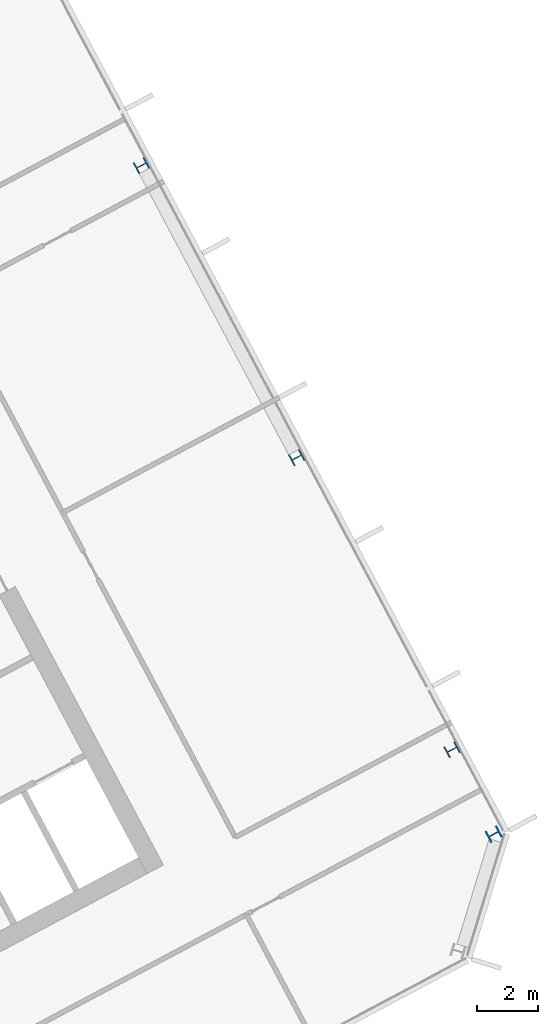
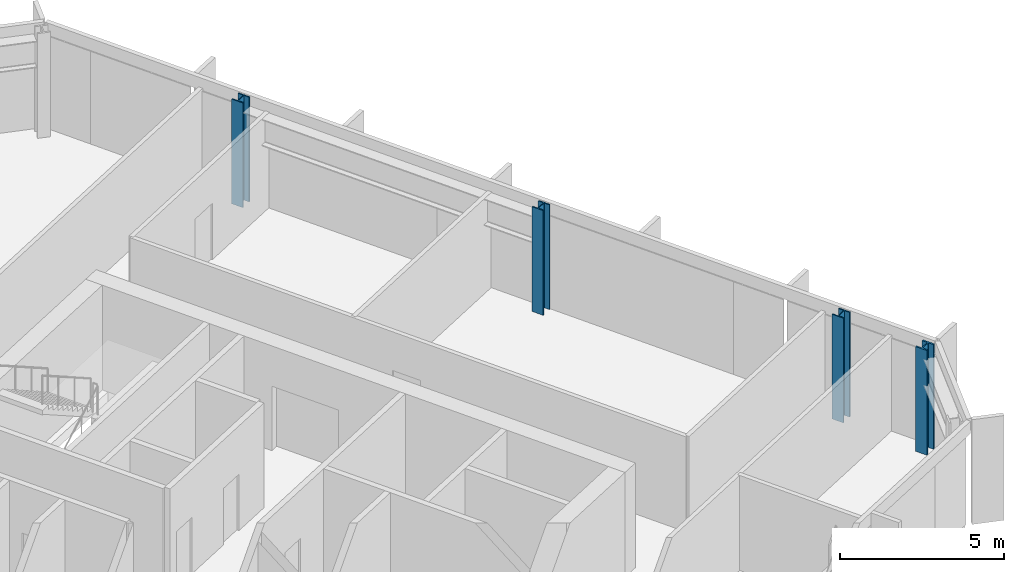
# One storey, part 7 of 27: 4 columns.
"""IFC4 building model written with IfcOpenShell, lengths in metres."""

from ifc_helpers import new_model, si_unit, direction, frame, origin, origin_2d, place, context, subcontext, project, spatial, i_section, extrude, material, material_profile, profile_set, type_object, element, save


model = new_model("IFC4")

# Units and contexts
model_context = context("Model", 3, precision=1e-05, world=origin(), true_north=direction((0.0, 1.0)))
body_context = subcontext(model_context, "Body", "Model", "MODEL_VIEW")
ifc_project = project(units=[si_unit("LENGTHUNIT", "METRE"), si_unit("AREAUNIT", "SQUARE_METRE"), si_unit("VOLUMEUNIT", "CUBIC_METRE"), si_unit("PLANEANGLEUNIT", "RADIAN"), si_unit("MASSUNIT", "GRAM", prefix="KILO")], contexts=[model_context])

# Site, building, storey
site_placement = place(None, origin())
site = spatial("IfcSite", under=ifc_project, at=site_placement, CompositionType="ELEMENT")
building_placement = place(site_placement, origin())
building = spatial("IfcBuilding", under=site, at=building_placement, Name="Cormorant Relay Tower", CompositionType="ELEMENT")
storey_placement = place(building_placement, frame((0.0, 0.0, 240.300048828125)))
storey = spatial("IfcBuildingStorey", under=building, at=storey_placement, Name="L53", CompositionType="ELEMENT", Elevation=240.300048828125)

# Columns
ifc_material_1 = material(Name="Steel ASTM A992 (Fy 345 MPa)", Category="steel")
ifc_material_profile_1 = material_profile(ifc_material_1, i_section(OverallWidth=0.40380859375, OverallDepth=0.406494140625, WebThickness=0.027099609375, FlangeThickness=0.043701171875, FilletRadius=0.01513671875, at=origin_2d()), Name="W360x347")
ifc_profile_set_1 = profile_set([ifc_material_profile_1], Name="Steel ASTM A992 (Fy 345 MPa)")
column_type_1 = type_object("IfcColumnType", Name="Column W360x347", PredefinedType="COLUMN", material=ifc_profile_set_1)
for number, where, z_axis, x_axis, name in (
    (1, (47.26611328125, 12.89990234375, 0.0), (0.0, 0.0, 1.0), (-0.469471562786, 0.882947592859, 0.0), "Column L53-026"),
    (2, (42.196044921875, 22.43603515625, 0.0), (0.0, 0.0, 1.0), (-0.469471562786, 0.882947592859, 0.0), "Column L53-029"),
    (3, (37.1259765625, 31.971923828125, 0.0), (0.0, 0.0, 1.0), (-0.469471562786, 0.882947592859, 0.0), "Column L53-036"),
):
    element("IfcColumn", number, at=place(storey_placement, frame(where, z_axis=z_axis, x_axis=x_axis)), inside=storey, type_object=column_type_1, Name=name, PredefinedType="COLUMN", context=body_context, shape_type="SweptSolid", body=[
        extrude(i_section(OverallWidth=0.40380859375, OverallDepth=0.406494140625, WebThickness=0.027099609375, FlangeThickness=0.043701171875, FilletRadius=0.01513671875, at=origin_2d()), origin(), (0.0, 0.0, 1.0), 3.89990234375),
    ])
ifc_material_2 = material(Name="Steel ASTM A992 (Fy 345 MPa)", Category="steel")
ifc_material_profile_2 = material_profile(ifc_material_2, i_section(OverallWidth=0.41162109375, OverallDepth=0.434326171875, WebThickness=0.035888671875, FlangeThickness=0.057373046875, FilletRadius=0.01513671875, at=origin_2d()), Name="W360x463")
ifc_profile_set_2 = profile_set([ifc_material_profile_2], Name="Steel ASTM A992 (Fy 345 MPa)")
column_type_2 = type_object("IfcColumnType", Name="Column W360x463", PredefinedType="COLUMN", material=ifc_profile_set_2)
column_placement = place(storey_placement, frame((48.6259765625, 10.14208984375, 0.0), z_axis=(0.0, 0.0, 1.0), x_axis=(-0.469471562786, 0.882947592859, 0.0)))
element("IfcColumn", 4, at=column_placement, inside=storey, type_object=column_type_2, Name="Column L53-021", PredefinedType="COLUMN", context=body_context, shape_type="SweptSolid", body=[
    extrude(i_section(OverallWidth=0.41162109375, OverallDepth=0.434326171875, WebThickness=0.035888671875, FlangeThickness=0.057373046875, FilletRadius=0.01513671875, at=origin_2d()), origin(), (0.0, 0.0, 1.0), 3.89990234375),
])

save(model, "model.ifc")
